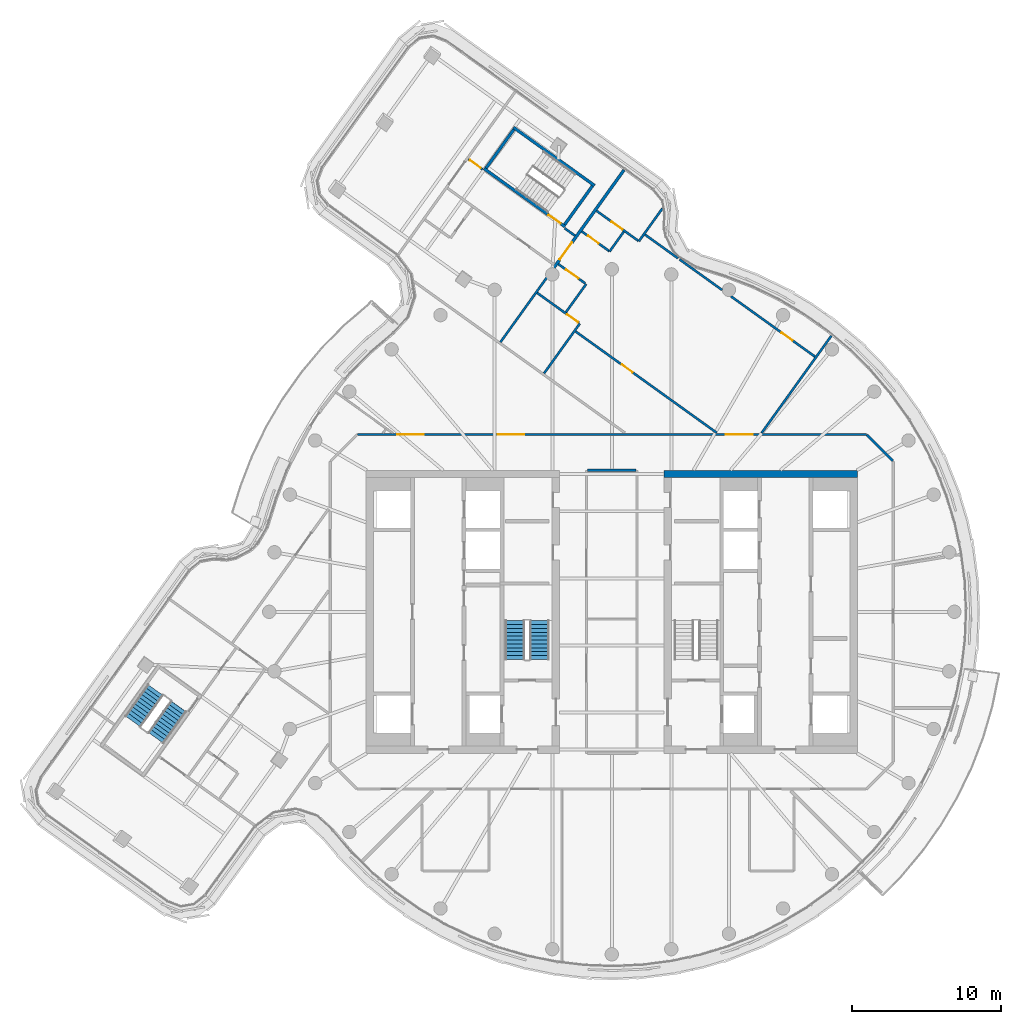
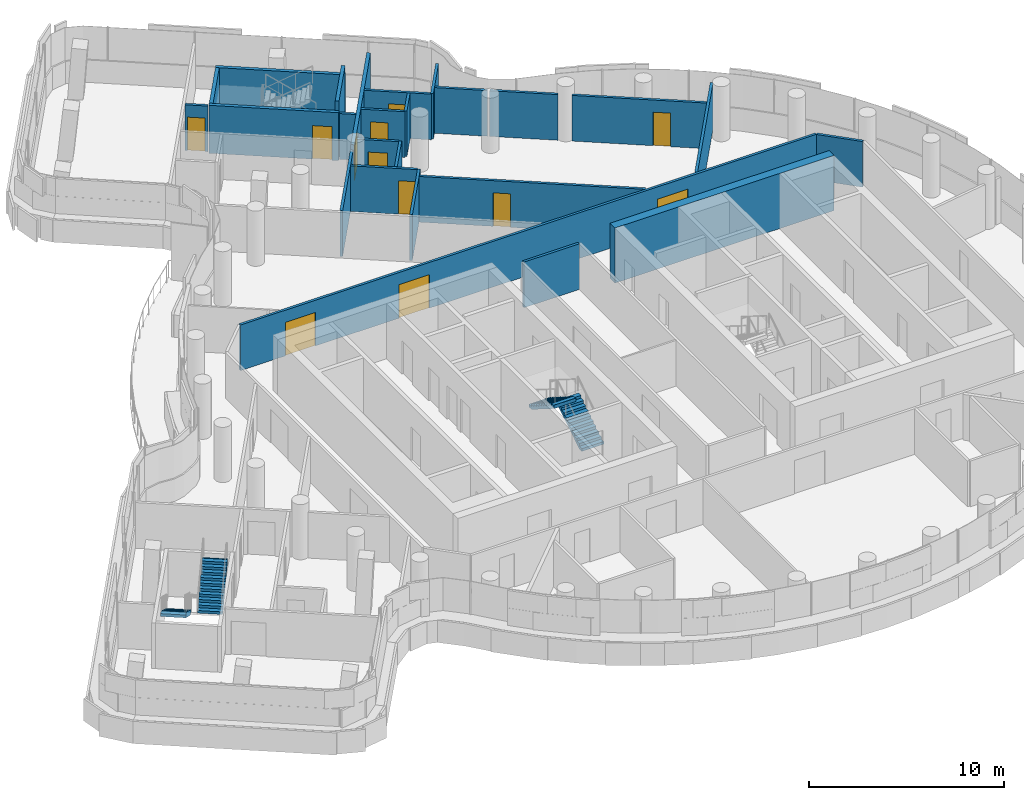
# One storey, part 20 of 27: 25 walls, 12 doors, 4 stair flights, 12 openings, 2 elements without a shape of their own.
"""IFC4 building model written with IfcOpenShell, lengths in metres."""

import ifcopenshell
import ifcopenshell.guid

model = None  # the IFC model being written
_history = None  # IfcOwnerHistory: only IFC2X3 demands one
_inside = {}  # id of a spatial element -> (the spatial element, [elements in it])
_under = {}  # id of a project, library or spatial element -> (it, [spatial elements below it])
_declared = {}  # id of a project -> (the project, [libraries it declares])
_typed = {}  # id of a type object -> (the type object, [elements of that type])
_made_of = {}  # id of a material, layer set ... -> (it, [elements and type objects made of it])


def new_model(schema):
    """Start an empty IFC model of exactly this schema.

    Asked for "IFC4X3", IfcOpenShell would pick the latest addendum, in which some entities
    have other attributes; the version numbers below select the first issue.
    IFC2X3 requires an IfcOwnerHistory on every rooted entity: one is made here for all.
    """
    global model, _history
    if schema == "IFC4X3":
        model = ifcopenshell.file(schema_version=(4, 3, 0, 0))
    else:
        model = ifcopenshell.file(schema=schema)
    _inside.clear()
    _under.clear()
    _declared.clear()
    _typed.clear()
    _made_of.clear()
    _history = None
    if model.schema == "IFC2X3":
        org = make("IfcOrganization", Name="unknown")
        user = make(
            "IfcPersonAndOrganization",
            ThePerson=make("IfcPerson", FamilyName="unknown"),
            TheOrganization=org,
        )
        app = make(
            "IfcApplication",
            ApplicationDeveloper=org,
            Version="unknown",
            ApplicationFullName="unknown",
            ApplicationIdentifier="unknown",
        )
        _history = make(
            "IfcOwnerHistory",
            OwningUser=user,
            OwningApplication=app,
            ChangeAction="ADDED",
            CreationDate=0,
        )
    return model


def make(cls, **values):
    """One entity of the class cls with the attributes given. An attribute that is None is left unset."""
    return model.create_entity(
        cls, **{name: value for name, value in values.items() if value is not None}
    )


def rooted(cls, **values):
    """An entity with a GlobalId (a new one), such as an element, a storey or a relation."""
    return make(cls, GlobalId=ifcopenshell.guid.new(), OwnerHistory=_history, **values)


def si_unit(unit_type, name, prefix=None):
    """IfcSIUnit, for example si_unit("LENGTHUNIT", "METRE", prefix="MILLI")."""
    return make("IfcSIUnit", UnitType=unit_type, Prefix=prefix, Name=name)


def assignment(units):
    """IfcUnitAssignment: the units of a project."""
    return None if units is None else make("IfcUnitAssignment", Units=units)


def point(xyz):
    """IfcCartesianPoint."""
    return None if xyz is None else make("IfcCartesianPoint", Coordinates=xyz)


def direction(xyz):
    """IfcDirection."""
    return None if xyz is None else make("IfcDirection", DirectionRatios=xyz)


def frame(location, z_axis=None, x_axis=None):
    """IfcAxis2Placement3D, a coordinate frame: its origin and axes. An axis left out is left unset."""
    return make(
        "IfcAxis2Placement3D",
        Location=point(location),
        Axis=direction(z_axis),
        RefDirection=direction(x_axis),
    )


def frame_2d(location, x_axis=None):
    """IfcAxis2Placement2D, a coordinate frame in the plane: its origin and x axis."""
    return make(
        "IfcAxis2Placement2D", Location=point(location), RefDirection=direction(x_axis)
    )


def origin():
    """The frame at (0, 0, 0) with its axes left unset."""
    return frame((0.0, 0.0, 0.0))


def place(relative_to, where):
    """IfcLocalPlacement: puts the frame where relative to a parent placement (None: the world)."""
    return make(
        "IfcLocalPlacement", PlacementRelTo=relative_to, RelativePlacement=where
    )


def context(
    kind, dimensions, precision=None, world=None, true_north=None, identifier=None
):
    """IfcGeometricRepresentationContext, for example the 3D "Model" context."""
    return make(
        "IfcGeometricRepresentationContext",
        ContextIdentifier=identifier,
        ContextType=kind,
        CoordinateSpaceDimension=dimensions,
        Precision=precision,
        WorldCoordinateSystem=world,
        TrueNorth=true_north,
    )


def subcontext(parent, identifier, kind, view, scale=None):
    """IfcGeometricRepresentationSubContext, for example "Body" below "Model"."""
    return make(
        "IfcGeometricRepresentationSubContext",
        ContextIdentifier=identifier,
        ContextType=kind,
        ParentContext=parent,
        TargetScale=scale,
        TargetView=view,
    )


def project(units=None, contexts=None):
    """IfcProject with its units and contexts."""
    return rooted(
        "IfcProject",
        Name="project",
        RepresentationContexts=contexts,
        UnitsInContext=assignment(units),
    )


def spatial(cls, under=None, at=None, **own):
    """A site, building, storey or space (cls), placed at a placement, below another one or the project."""
    s = rooted(cls, ObjectPlacement=at, **own)
    if under is not None:
        _under.setdefault(under.id(), (under, []))[1].append(s)
    return s


def polyline(points):
    """IfcPolyline through the points."""
    return make("IfcPolyline", Points=[point(p) for p in points])


def profile(cls, at=None, kind="AREA", **sizes):
    """A parametric profile (cls). Its sizes go by their IFC names, for example OverallWidth=200.0."""
    return make(cls, ProfileType=kind, Position=at, **sizes)


def rectangle(**sizes):
    """IfcRectangleProfileDef."""
    return profile("IfcRectangleProfileDef", **sizes)


def outline(outer, holes=None, kind="AREA"):
    """IfcArbitraryClosedProfileDef: a profile drawn as a closed curve; with holes, ...WithVoids."""
    if holes is None:
        return make("IfcArbitraryClosedProfileDef", ProfileType=kind, OuterCurve=outer)
    return make(
        "IfcArbitraryProfileDefWithVoids",
        ProfileType=kind,
        OuterCurve=outer,
        InnerCurves=holes,
    )


def extrude(swept, where, along, depth):
    """IfcExtrudedAreaSolid: the profile swept, set in the frame where, extruded along a direction by depth."""
    return make(
        "IfcExtrudedAreaSolid",
        SweptArea=swept,
        Position=where,
        ExtrudedDirection=direction(along),
        Depth=depth,
    )


def shape(context_of_items, identifier, shape_type, items):
    """IfcShapeRepresentation: the items that make up one representation, for example the "Body"."""
    return make(
        "IfcShapeRepresentation",
        ContextOfItems=context_of_items,
        RepresentationIdentifier=identifier,
        RepresentationType=shape_type,
        Items=items,
    )


def material(Name=None, Category=None):
    """IfcMaterial."""
    return make("IfcMaterial", Name=Name, Category=Category)


def layer(
    of_material, thickness, ventilated=None, Name=None, Category=None, Priority=None
):
    """IfcMaterialLayer: one layer of a wall or slab, of a material (None: an air gap)."""
    return make(
        "IfcMaterialLayer",
        Material=of_material,
        LayerThickness=thickness,
        IsVentilated=ventilated,
        Name=Name,
        Category=Category,
        Priority=Priority,
    )


def layer_set(layers, Name=None):
    """IfcMaterialLayerSet."""
    return make("IfcMaterialLayerSet", MaterialLayers=layers, LayerSetName=Name)


def made_of(thing, what):
    """Note that an element or type object is made of a material, layer set ...; save() writes the relation."""
    if what is not None:
        _made_of.setdefault(what.id(), (what, []))[1].append(thing)
    return thing


def type_object(cls, material=None, **own):
    """A type object (cls), such as IfcWallType, which elements share."""
    return made_of(rooted(cls, **own), material)


def element(
    cls,
    number,
    at=None,
    inside=None,
    cuts=None,
    type_object=None,
    material=None,
    context=None,
    identifier="Body",
    shape_type=None,
    held_by="IfcProductDefinitionShape",
    body=None,
    shapes=None,
    **own,
):
    """One element of the class cls, such as IfcWall. Its Tag is "e" and its number.

    at: its placement. inside: the storey or other place that contains it. cuts: it is an
    opening in that element (IfcRelVoidsElement). A single representation is given by context,
    identifier, shape_type and body (its items); several are given by shapes. held_by: the class
    of the entity that holds the representations. save() writes the other relations.
    """
    e = rooted(cls, Tag="e%d" % number, ObjectPlacement=at, **own)
    if body is not None:
        shapes = [shape(context, identifier, shape_type, body)]
    if shapes is not None:
        e.Representation = make(held_by, Representations=shapes)
    if inside is not None:
        _inside.setdefault(inside.id(), (inside, []))[1].append(e)
    if cuts is not None:
        rooted(
            "IfcRelVoidsElement", RelatingBuildingElement=cuts, RelatedOpeningElement=e
        )
    if type_object is not None:
        _typed.setdefault(type_object.id(), (type_object, []))[1].append(e)
    return made_of(e, material)


def fill(opening, filler):
    """IfcRelFillsElement: the door or window that sits in an opening."""
    return rooted(
        "IfcRelFillsElement",
        RelatingOpeningElement=opening,
        RelatedBuildingElement=filler,
    )


def aggregate(whole, parts):
    """IfcRelAggregates: a whole, such as a stair, and the parts it consists of."""
    return rooted("IfcRelAggregates", RelatingObject=whole, RelatedObjects=parts)


def save(model, path):
    """Write the relations noted so far, then the file.

    IfcRelAggregates (storeys below a building ...), IfcRelContainedInSpatialStructure (elements
    in a storey), IfcRelDefinesByType, IfcRelAssociatesMaterial and IfcRelDeclares: one each for
    every whole, place, type object, material and project.
    """
    for whole, parts in _under.values():
        aggregate(whole, parts)
    for where, things in _inside.values():
        rooted(
            "IfcRelContainedInSpatialStructure",
            RelatedElements=things,
            RelatingStructure=where,
        )
    for kind, things in _typed.values():
        rooted("IfcRelDefinesByType", RelatedObjects=things, RelatingType=kind)
    for what, things in _made_of.values():
        rooted("IfcRelAssociatesMaterial", RelatedObjects=things, RelatingMaterial=what)
    for by, libraries in _declared.values():
        rooted("IfcRelDeclares", RelatingContext=by, RelatedDefinitions=libraries)
    model.write(path)


model = new_model("IFC4")

# Units and contexts
model_context = context("Model", 3, precision=1e-05, world=origin(), true_north=direction((0.0, 1.0)))
body_context = subcontext(model_context, "Body", "Model", "MODEL_VIEW")
ifc_project = project(units=[si_unit("LENGTHUNIT", "METRE"), si_unit("AREAUNIT", "SQUARE_METRE"), si_unit("VOLUMEUNIT", "CUBIC_METRE"), si_unit("PLANEANGLEUNIT", "RADIAN"), si_unit("MASSUNIT", "GRAM", prefix="KILO")], contexts=[model_context])

# Site, building, storey
site_placement = place(None, origin())
site = spatial("IfcSite", under=ifc_project, at=site_placement, CompositionType="ELEMENT")
building_placement = place(site_placement, origin())
building = spatial("IfcBuilding", under=site, at=building_placement, Name="Tamarind Cross Interchange Tower", CompositionType="ELEMENT")
storey_placement = place(building_placement, frame((0.0, 0.0, 230.699951171875)))
storey = spatial("IfcBuildingStorey", under=building, at=storey_placement, Name="L58", CompositionType="ELEMENT", Elevation=230.699951171875)

# Walls
ifc_material_1 = material(Name="Concrete C50", Category="concrete")
ifc_layer_1 = layer(ifc_material_1, 0.5)
ifc_layer_set_1 = layer_set([ifc_layer_1], Name="Concrete C50")
wall_type_1 = type_object("IfcWallType", Name="Core wall 500 mm Concrete C50", PredefinedType="SHEAR", material=ifc_layer_set_1)
wall_1_placement = place(storey_placement, frame((16.5, 9.25, 0.0), z_axis=(0.0, 0.0, 1.0), x_axis=(-1.0, 0.0, 0.0)))
element("IfcWall", 1, at=wall_1_placement, inside=storey, type_object=wall_type_1, Name="Core wall CWL-L58-E-NE", PredefinedType="SHEAR", context=body_context, shape_type="SweptSolid", body=[
    extrude(rectangle(XDim=13.0, YDim=0.5, at=frame_2d((6.5, 0.0))), origin(), (0.0, 0.0, 1.0), 3.4599609375),
])
ifc_material_2 = material(Name="Gypsum board partition on steel studs", Category="steel")
ifc_layer_2 = layer(ifc_material_2, 0.14990234375)
ifc_layer_set_2 = layer_set([ifc_layer_2], Name="Gypsum board partition on steel studs")
wall_type_2 = type_object("IfcWallType", Name="Partition 150 mm EI 120", PredefinedType="PARTITIONING", material=ifc_layer_set_2)
wall_2_placement = place(storey_placement, frame((17.12841796875, 11.87158203125, 0.0), z_axis=(0.0, 0.0, 1.0), x_axis=(0.707106781187, -0.707106781187, 0.0)))
element("IfcWall", 2, at=wall_2_placement, inside=storey, type_object=wall_type_2, Name="Partition L58-003", PredefinedType="PARTITIONING", context=body_context, shape_type="SweptSolid", body=[
    extrude(rectangle(XDim=2.465087890625, YDim=0.14990234375, at=frame_2d((1.232421875, 0.0))), origin(), (0.0, 0.0, 1.0), 2.864013671875),
])

# Wall, opening, door
wall_3_placement = place(storey_placement, frame((-9.634033203125, 30.392333984375, 0.0), z_axis=(0.0, 0.0, 1.0), x_axis=(0.812487107196, -0.582979159697, 0.0)))
wall_3 = element("IfcWall", 3, at=wall_3_placement, inside=storey, type_object=wall_type_2, Name="Partition L58-013", PredefinedType="PARTITIONING", context=body_context, shape_type="SweptSolid", body=[
    extrude(rectangle(XDim=1.1796875, YDim=0.14990234375, at=frame_2d((0.58984375, 0.0))), origin(), (0.0, 0.0, 1.0), 2.864013671875),
])
opening_1_placement = place(wall_3_placement, frame((0.129638671875, 0.0, 0.0)))
opening_1 = element("IfcOpeningElement", 4, at=opening_1_placement, cuts=wall_3, Name="Opening D05", PredefinedType="OPENING", context=body_context, shape_type="SweptSolid", body=[
    extrude(rectangle(XDim=0.89990234375, YDim=2.10009765625, at=frame_2d((0.449951171875, 1.050048828125))), frame((0.0, 0.0849609375, 0.0), z_axis=(0.0, -1.0, 0.0), x_axis=(1.0, 0.0, 0.0)), (0.0, 0.0, 1.0), 0.169921875),
])
ifc_material_3 = material(Name="Fire-resisting door set")
door_type_1 = type_object("IfcDoorType", Name="Interior door 900 x 2100 FD60S", OperationType="SINGLE_SWING_LEFT", PredefinedType="DOOR", material=ifc_material_3)
door_1_placement = place(opening_1_placement, origin())
door_1 = element("IfcDoor", 5, at=door_1_placement, inside=storey, type_object=door_type_1, Name="Door D05", OperationType="SINGLE_SWING_RIGHT", OverallHeight=2.10009765625, OverallWidth=0.89990234375, PredefinedType="DOOR", context=body_context, shape_type="SweptSolid", body=[
    extrude(rectangle(XDim=0.89990234375, YDim=2.10009765625, at=frame_2d((0.449951171875, 1.050048828125))), frame((0.0, 0.02490234375, 0.0), z_axis=(0.0, -1.0, 0.0), x_axis=(1.0, 0.0, 0.0)), (0.0, 0.0, 1.0), 0.050048828125),
])
fill(opening_1, door_1)

# Wall
wall_4_placement = place(storey_placement, frame((-3.16748046875, 25.751220703125, 0.0), z_axis=(0.0, 0.0, 1.0), x_axis=(0.812351297047, -0.583168389221, 0.0)))
element("IfcWall", 6, at=wall_4_placement, inside=storey, type_object=wall_type_2, Name="Partition L58-014", PredefinedType="PARTITIONING", context=body_context, shape_type="SweptSolid", body=[
    extrude(rectangle(XDim=0.86083984375, YDim=0.14990234375, at=frame_2d((0.430419921875, 0.0))), origin(), (0.0, 0.0, 1.0), 2.864013671875),
])

# Wall, opening, door
wall_5_placement = place(storey_placement, frame((-5.0048828125, 21.407470703125, 0.0), z_axis=(0.0, 0.0, 1.0), x_axis=(0.812433901196, -0.583053304757, 0.0)))
wall_5 = element("IfcWall", 7, at=wall_5_placement, inside=storey, type_object=wall_type_2, Name="Partition L58-015", PredefinedType="PARTITIONING", context=body_context, shape_type="SweptSolid", body=[
    extrude(rectangle(XDim=3.4453125, YDim=0.14990234375, at=frame_2d((1.72265625, 0.0))), origin(), (0.0, 0.0, 1.0), 2.864013671875),
])
opening_2_placement = place(wall_5_placement, frame((2.469970703125, 0.0, 0.0)))
opening_2 = element("IfcOpeningElement", 8, at=opening_2_placement, cuts=wall_5, Name="Opening D06", PredefinedType="OPENING", context=body_context, shape_type="SweptSolid", body=[
    extrude(rectangle(XDim=0.89990234375, YDim=2.10009765625, at=frame_2d((0.449951171875, 1.050048828125))), frame((0.0, 0.0849609375, 0.0), z_axis=(0.0, -1.0, 0.0), x_axis=(1.0, 0.0, 0.0)), (0.0, 0.0, 1.0), 0.169921875),
])
door_2_placement = place(opening_2_placement, frame((0.89990234375, 0.0, 0.0), z_axis=(0.0, 0.0, 1.0), x_axis=(-1.0, 0.0, 0.0)))
door_2 = element("IfcDoor", 9, at=door_2_placement, inside=storey, type_object=door_type_1, Name="Door D06", OperationType="SINGLE_SWING_RIGHT", OverallHeight=2.10009765625, OverallWidth=0.89990234375, PredefinedType="DOOR", context=body_context, shape_type="SweptSolid", body=[
    extrude(rectangle(XDim=0.89990234375, YDim=2.10009765625, at=frame_2d((0.449951171875, 1.050048828125))), frame((0.0, 0.02490234375, 0.0), z_axis=(0.0, -1.0, 0.0), x_axis=(1.0, 0.0, 0.0)), (0.0, 0.0, 1.0), 0.050048828125),
])
fill(opening_2, door_2)

wall_6_placement = place(storey_placement, frame((-3.588623046875, 23.3447265625, 0.0), z_axis=(0.0, 0.0, 1.0), x_axis=(0.812463673424, -0.583011817518, 0.0)))
wall_6 = element("IfcWall", 10, at=wall_6_placement, inside=storey, type_object=wall_type_2, Name="Partition L58-016", PredefinedType="PARTITIONING", context=body_context, shape_type="SweptSolid", body=[
    extrude(rectangle(XDim=2.224853515625, YDim=0.14990234375, at=frame_2d((1.1123046875, 0.0))), origin(), (0.0, 0.0, 1.0), 2.864013671875),
])
opening_3_placement = place(wall_6_placement, frame((0.64990234375, 0.0, 0.0)))
opening_3 = element("IfcOpeningElement", 11, at=opening_3_placement, cuts=wall_6, Name="Opening D07", PredefinedType="OPENING", context=body_context, shape_type="SweptSolid", body=[
    extrude(rectangle(XDim=1.0, YDim=2.10009765625, at=frame_2d((0.5, 1.050048828125))), frame((0.0, 0.0849609375, 0.0), z_axis=(0.0, -1.0, 0.0), x_axis=(1.0, 0.0, 0.0)), (0.0, 0.0, 1.0), 0.169921875),
])
door_type_2 = type_object("IfcDoorType", Name="Interior door 1000 x 2100 FD60S", OperationType="SINGLE_SWING_LEFT", PredefinedType="DOOR", material=ifc_material_3)
door_3_placement = place(opening_3_placement, frame((1.0, 0.0, 0.0), z_axis=(0.0, 0.0, 1.0), x_axis=(-1.0, 0.0, 0.0)))
door_3 = element("IfcDoor", 12, at=door_3_placement, inside=storey, type_object=door_type_2, Name="Door D07", OperationType="SINGLE_SWING_RIGHT", OverallHeight=2.10009765625, OverallWidth=1.0, PredefinedType="DOOR", context=body_context, shape_type="SweptSolid", body=[
    extrude(rectangle(XDim=1.0, YDim=2.10009765625, at=frame_2d((0.5, 1.050048828125))), frame((0.0, 0.02490234375, 0.0), z_axis=(0.0, -1.0, 0.0), x_axis=(1.0, 0.0, 0.0)), (0.0, 0.0, 1.0), 0.050048828125),
])
fill(opening_3, door_3)

wall_7_placement = place(storey_placement, frame((-2.429931640625, 18.8203125, 0.0), z_axis=(0.0, 0.0, 1.0), x_axis=(0.812379650035, -0.583128891592, 0.0)))
wall_7 = element("IfcWall", 13, at=wall_7_placement, inside=storey, type_object=wall_type_2, Name="Partition L58-017", PredefinedType="PARTITIONING", context=body_context, shape_type="SweptSolid", body=[
    extrude(rectangle(XDim=11.66748046875, YDim=0.14990234375, at=frame_2d((5.833740234375, 0.0))), origin(), (0.0, 0.0, 1.0), 2.864013671875),
])
opening_4_placement = place(wall_7_placement, frame((3.820068359375, 0.0, 0.0)))
opening_4 = element("IfcOpeningElement", 14, at=opening_4_placement, cuts=wall_7, Name="Opening D08", PredefinedType="OPENING", context=body_context, shape_type="SweptSolid", body=[
    extrude(rectangle(XDim=0.89990234375, YDim=2.10009765625, at=frame_2d((0.449951171875, 1.050048828125))), frame((0.0, 0.0849609375, 0.0), z_axis=(0.0, -1.0, 0.0), x_axis=(1.0, 0.0, 0.0)), (0.0, 0.0, 1.0), 0.169921875),
])
door_4_placement = place(opening_4_placement, frame((0.89990234375, 0.0, 0.0), z_axis=(0.0, 0.0, 1.0), x_axis=(-1.0, 0.0, 0.0)))
door_4 = element("IfcDoor", 15, at=door_4_placement, inside=storey, type_object=door_type_1, Name="Door D08", OperationType="SINGLE_SWING_LEFT", OverallHeight=2.10009765625, OverallWidth=0.89990234375, PredefinedType="DOOR", context=body_context, shape_type="SweptSolid", body=[
    extrude(rectangle(XDim=0.89990234375, YDim=2.10009765625, at=frame_2d((0.449951171875, 1.050048828125))), frame((0.0, 0.02490234375, 0.0), z_axis=(0.0, -1.0, 0.0), x_axis=(1.0, 0.0, 0.0)), (0.0, 0.0, 1.0), 0.050048828125),
])
fill(opening_4, door_4)

wall_8_placement = place(storey_placement, frame((-2.014892578125, 25.538818359375, 0.0), z_axis=(0.0, 0.0, 1.0), x_axis=(0.812349738906, -0.583170559699, 0.0)))
wall_8 = element("IfcWall", 16, at=wall_8_placement, inside=storey, type_object=wall_type_2, Name="Partition L58-018", PredefinedType="PARTITIONING", context=body_context, shape_type="SweptSolid", body=[
    extrude(rectangle(XDim=2.28076171875, YDim=0.14990234375, at=frame_2d((1.140380859375, 0.0))), origin(), (0.0, 0.0, 1.0), 2.864013671875),
])
opening_5_placement = place(wall_8_placement, frame((0.5, 0.0, 0.0)))
opening_5 = element("IfcOpeningElement", 17, at=opening_5_placement, cuts=wall_8, Name="Opening D09", PredefinedType="OPENING", context=body_context, shape_type="SweptSolid", body=[
    extrude(rectangle(XDim=0.89990234375, YDim=2.10009765625, at=frame_2d((0.449951171875, 1.050048828125))), frame((0.0, 0.0849609375, 0.0), z_axis=(0.0, -1.0, 0.0), x_axis=(1.0, 0.0, 0.0)), (0.0, 0.0, 1.0), 0.169921875),
])
door_5_placement = place(opening_5_placement, origin())
door_5 = element("IfcDoor", 18, at=door_5_placement, inside=storey, type_object=door_type_1, Name="Door D09", OperationType="SINGLE_SWING_RIGHT", OverallHeight=2.10009765625, OverallWidth=0.89990234375, PredefinedType="DOOR", context=body_context, shape_type="SweptSolid", body=[
    extrude(rectangle(XDim=0.89990234375, YDim=2.10009765625, at=frame_2d((0.449951171875, 1.050048828125))), frame((0.0, 0.02490234375, 0.0), z_axis=(0.0, -1.0, 0.0), x_axis=(1.0, 0.0, 0.0)), (0.0, 0.0, 1.0), 0.050048828125),
])
fill(opening_5, door_5)

wall_9_placement = place(storey_placement, frame((-1.022705078125, 26.919677734375, 0.0), z_axis=(0.0, 0.0, 1.0), x_axis=(0.812175386304, -0.583413354219, 0.0)))
wall_9 = element("IfcWall", 19, at=wall_9_placement, inside=storey, type_object=wall_type_2, Name="Partition L58-019", PredefinedType="PARTITIONING", context=body_context, shape_type="SweptSolid", body=[
    extrude(rectangle(XDim=3.479248046875, YDim=0.14990234375, at=frame_2d((1.73974609375, 0.0))), origin(), (0.0, 0.0, 1.0), 2.864013671875),
])
opening_6_placement = place(wall_9_placement, frame((1.25, 0.0, 0.0)))
opening_6 = element("IfcOpeningElement", 20, at=opening_6_placement, cuts=wall_9, Name="Opening D10", PredefinedType="OPENING", context=body_context, shape_type="SweptSolid", body=[
    extrude(rectangle(XDim=0.89990234375, YDim=2.10009765625, at=frame_2d((0.449951171875, 1.050048828125))), frame((0.0, 0.0849609375, 0.0), z_axis=(0.0, -1.0, 0.0), x_axis=(1.0, 0.0, 0.0)), (0.0, 0.0, 1.0), 0.169921875),
])
door_6_placement = place(opening_6_placement, origin())
door_6 = element("IfcDoor", 21, at=door_6_placement, inside=storey, type_object=door_type_1, Name="Door D10", OperationType="SINGLE_SWING_RIGHT", OverallHeight=2.10009765625, OverallWidth=0.89990234375, PredefinedType="DOOR", context=body_context, shape_type="SweptSolid", body=[
    extrude(rectangle(XDim=0.89990234375, YDim=2.10009765625, at=frame_2d((0.449951171875, 1.050048828125))), frame((0.0, 0.02490234375, 0.0), z_axis=(0.0, -1.0, 0.0), x_axis=(1.0, 0.0, 0.0)), (0.0, 0.0, 1.0), 0.050048828125),
])
fill(opening_6, door_6)

# Walls
wall_10_placement = place(storey_placement, frame((2.235107421875, 25.3193359375, 0.0), z_axis=(0.0, 0.0, 1.0), x_axis=(0.812367323753, -0.583146063434, 0.0)))
element("IfcWall", 22, at=wall_10_placement, inside=storey, type_object=wall_type_2, Name="Partition L58-020", PredefinedType="PARTITIONING", context=body_context, shape_type="SweptSolid", body=[
    extrude(rectangle(XDim=2.72119140625, YDim=0.14990234375, at=frame_2d((1.360595703125, 0.0))), origin(), (0.0, 0.0, 1.0), 2.864013671875),
])
wall_11_placement = place(storey_placement, frame((4.54736328125, 23.65966796875, 0.0), z_axis=(0.0, 0.0, 1.0), x_axis=(0.812386891105, -0.583118803642, 0.0)))
element("IfcWall", 23, at=wall_11_placement, inside=storey, type_object=wall_type_2, Name="Partition L58-021", PredefinedType="PARTITIONING", context=body_context, shape_type="SweptSolid", body=[
    extrude(rectangle(XDim=3.521484375, YDim=0.14990234375, at=frame_2d((1.7607421875, 0.0))), origin(), (0.0, 0.0, 1.0), 2.864013671875),
])

# Wall, opening, door
wall_12_placement = place(storey_placement, frame((7.99267578125, 21.186767578125, 0.0), z_axis=(0.0, 0.0, 1.0), x_axis=(0.81239794632, -0.583103401478, 0.0)))
wall_12 = element("IfcWall", 24, at=wall_12_placement, inside=storey, type_object=wall_type_2, Name="Partition L58-022", PredefinedType="PARTITIONING", context=body_context, shape_type="SweptSolid", body=[
    extrude(rectangle(XDim=6.952880859375, YDim=0.14990234375, at=frame_2d((3.4765625, 0.0))), origin(), (0.0, 0.0, 1.0), 2.864013671875),
])
opening_7_placement = place(wall_12_placement, frame((4.199951171875, 0.0, 0.0)))
opening_7 = element("IfcOpeningElement", 25, at=opening_7_placement, cuts=wall_12, Name="Opening D11", PredefinedType="OPENING", context=body_context, shape_type="SweptSolid", body=[
    extrude(rectangle(XDim=0.89990234375, YDim=2.10009765625, at=frame_2d((0.449951171875, 1.050048828125))), frame((0.0, 0.0849609375, 0.0), z_axis=(0.0, -1.0, 0.0), x_axis=(1.0, 0.0, 0.0)), (0.0, 0.0, 1.0), 0.169921875),
])
door_7_placement = place(opening_7_placement, origin())
door_7 = element("IfcDoor", 26, at=door_7_placement, inside=storey, type_object=door_type_1, Name="Door D11", OperationType="SINGLE_SWING_LEFT", OverallHeight=2.10009765625, OverallWidth=0.89990234375, PredefinedType="DOOR", context=body_context, shape_type="SweptSolid", body=[
    extrude(rectangle(XDim=0.89990234375, YDim=2.10009765625, at=frame_2d((0.449951171875, 1.050048828125))), frame((0.0, 0.02490234375, 0.0), z_axis=(0.0, -1.0, 0.0), x_axis=(1.0, 0.0, 0.0)), (0.0, 0.0, 1.0), 0.050048828125),
])
fill(opening_7, door_7)

# Wall, openings, doors
wall_13_placement = place(storey_placement, frame((-17.06494140625, 11.89990234375, 0.0), z_axis=(0.0, 0.0, 1.0), x_axis=(1.0, 0.0, 0.0)))
wall_13 = element("IfcWall", 27, at=wall_13_placement, inside=storey, type_object=wall_type_2, Name="Partition L58-024", PredefinedType="PARTITIONING", context=body_context, shape_type="SweptSolid", body=[
    extrude(rectangle(XDim=34.1650390625, YDim=0.14990234375, at=frame_2d((17.08251953125, 0.0))), origin(), (0.0, 0.0, 1.0), 2.864013671875),
])
opening_8_placement = place(wall_13_placement, frame((24.72607421875, 0.0, 0.0)))
opening_8 = element("IfcOpeningElement", 28, at=opening_8_placement, cuts=wall_13, Name="Opening D18", PredefinedType="OPENING", context=body_context, shape_type="SweptSolid", body=[
    extrude(rectangle(XDim=1.800048828125, YDim=2.10009765625, at=frame_2d((0.89990234375, 1.050048828125))), frame((0.0, 0.0849609375, 0.0), z_axis=(0.0, -1.0, 0.0), x_axis=(1.0, 0.0, 0.0)), (0.0, 0.0, 1.0), 0.169921875),
])
opening_9_placement = place(wall_13_placement, frame((9.39501953125, 0.0, 0.0)))
opening_9 = element("IfcOpeningElement", 29, at=opening_9_placement, cuts=wall_13, Name="Opening D19", PredefinedType="OPENING", context=body_context, shape_type="SweptSolid", body=[
    extrude(rectangle(XDim=1.800048828125, YDim=2.10009765625, at=frame_2d((0.89990234375, 1.050048828125))), frame((0.0, 0.0849609375, 0.0), z_axis=(0.0, -1.0, 0.0), x_axis=(1.0, 0.0, 0.0)), (0.0, 0.0, 1.0), 0.169921875),
])
opening_10_placement = place(wall_13_placement, frame((2.64501953125, 0.0, 0.0)))
opening_10 = element("IfcOpeningElement", 30, at=opening_10_placement, cuts=wall_13, Name="Opening D20", PredefinedType="OPENING", context=body_context, shape_type="SweptSolid", body=[
    extrude(rectangle(XDim=1.800048828125, YDim=2.10009765625, at=frame_2d((0.89990234375, 1.050048828125))), frame((0.0, 0.0849609375, 0.0), z_axis=(0.0, -1.0, 0.0), x_axis=(1.0, 0.0, 0.0)), (0.0, 0.0, 1.0), 0.169921875),
])
door_type_3 = type_object("IfcDoorType", Name="Interior door 1800 x 2100 FD60S", OperationType="DOUBLE_DOOR_SINGLE_SWING", PredefinedType="DOOR", material=ifc_material_3)
door_8_placement = place(opening_8_placement, frame((1.800048828125, 0.0, 0.0), z_axis=(0.0, 0.0, 1.0), x_axis=(-1.0, 0.0, 0.0)))
door_8 = element("IfcDoor", 31, at=door_8_placement, inside=storey, type_object=door_type_3, Name="Door D18", OperationType="DOUBLE_DOOR_SINGLE_SWING", OverallHeight=2.10009765625, OverallWidth=1.800048828125, PredefinedType="DOOR", context=body_context, shape_type="SweptSolid", body=[
    extrude(rectangle(XDim=1.800048828125, YDim=2.10009765625, at=frame_2d((0.89990234375, 1.050048828125))), frame((0.0, 0.02490234375, 0.0), z_axis=(0.0, -1.0, 0.0), x_axis=(1.0, 0.0, 0.0)), (0.0, 0.0, 1.0), 0.050048828125),
])
fill(opening_8, door_8)
door_9_placement = place(opening_9_placement, origin())
door_9 = element("IfcDoor", 32, at=door_9_placement, inside=storey, type_object=door_type_3, Name="Door D19", OperationType="DOUBLE_DOOR_SINGLE_SWING", OverallHeight=2.10009765625, OverallWidth=1.800048828125, PredefinedType="DOOR", context=body_context, shape_type="SweptSolid", body=[
    extrude(rectangle(XDim=1.800048828125, YDim=2.10009765625, at=frame_2d((0.89990234375, 1.050048828125))), frame((0.0, 0.02490234375, 0.0), z_axis=(0.0, -1.0, 0.0), x_axis=(1.0, 0.0, 0.0)), (0.0, 0.0, 1.0), 0.050048828125),
])
fill(opening_9, door_9)
door_10_placement = place(opening_10_placement, origin())
door_10 = element("IfcDoor", 33, at=door_10_placement, inside=storey, type_object=door_type_3, Name="Door D20", OperationType="DOUBLE_DOOR_SINGLE_SWING", OverallHeight=2.10009765625, OverallWidth=1.800048828125, PredefinedType="DOOR", context=body_context, shape_type="SweptSolid", body=[
    extrude(rectangle(XDim=1.800048828125, YDim=2.10009765625, at=frame_2d((0.89990234375, 1.050048828125))), frame((0.0, 0.02490234375, 0.0), z_axis=(0.0, -1.0, 0.0), x_axis=(1.0, 0.0, 0.0)), (0.0, 0.0, 1.0), 0.050048828125),
])
fill(opening_10, door_10)

# Walls
wall_14_placement = place(storey_placement, frame((-1.639892578125, 9.5, 0.0), z_axis=(0.0, 0.0, 1.0), x_axis=(1.0, 0.0, 0.0)))
element("IfcWall", 34, at=wall_14_placement, inside=storey, type_object=wall_type_2, Name="Partition L58-029", PredefinedType="PARTITIONING", context=body_context, shape_type="SweptSolid", body=[
    extrude(rectangle(XDim=3.27978515625, YDim=0.14990234375, at=frame_2d((1.639892578125, 0.0))), origin(), (0.0, 0.0, 1.0), 2.864013671875),
])
wall_15_placement = place(storey_placement, frame((-7.472412109375, 18.10693359375, 0.0), z_axis=(0.0, 0.0, 1.0), x_axis=(0.583113446938, 0.812390736038, 0.0)))
element("IfcWall", 35, at=wall_15_placement, inside=storey, type_object=wall_type_2, Name="Partition L58-045", PredefinedType="PARTITIONING", context=body_context, shape_type="SweptSolid", body=[
    extrude(rectangle(XDim=5.488037109375, YDim=0.14990234375, at=frame_2d((2.744140625, 0.0))), origin(), (0.0, 0.0, 1.0), 2.864013671875),
])
wall_16_placement = place(storey_placement, frame((-4.54736328125, 16.007080078125, 0.0), z_axis=(0.0, 0.0, 1.0), x_axis=(0.583002261938, 0.812470530281, 0.0)))
element("IfcWall", 36, at=wall_16_placement, inside=storey, type_object=wall_type_2, Name="Partition L58-047", PredefinedType="PARTITIONING", context=body_context, shape_type="SweptSolid", body=[
    extrude(rectangle(XDim=4.12060546875, YDim=0.14990234375, at=frame_2d((2.060302734375, 0.0))), origin(), (0.0, 0.0, 1.0), 2.864013671875),
])
wall_17_placement = place(storey_placement, frame((1.819580078125, 24.87939453125, 0.0), z_axis=(0.0, 0.0, 1.0), x_axis=(0.583041539886, 0.812442344273, 0.0)))
element("IfcWall", 37, at=wall_17_placement, inside=storey, type_object=wall_type_2, Name="Partition L58-048", PredefinedType="PARTITIONING", context=body_context, shape_type="SweptSolid", body=[
    extrude(rectangle(XDim=2.699951171875, YDim=0.14990234375, at=frame_2d((1.35009765625, 0.0))), origin(), (0.0, 0.0, 1.0), 2.864013671875),
])
wall_18_placement = place(storey_placement, frame((-3.0732421875, 20.1201171875, 0.0), z_axis=(0.0, 0.0, 1.0), x_axis=(0.58343649738, 0.812158761281, 0.0)))
element("IfcWall", 38, at=wall_18_placement, inside=storey, type_object=wall_type_2, Name="Partition L58-049", PredefinedType="PARTITIONING", context=body_context, shape_type="SweptSolid", body=[
    extrude(rectangle(XDim=2.319580078125, YDim=0.14990234375, at=frame_2d((1.15966796875, 0.0))), origin(), (0.0, 0.0, 1.0), 2.864013671875),
])
wall_19_placement = place(storey_placement, frame((-0.145263671875, 24.1962890625, 0.0), z_axis=(0.0, 0.0, 1.0), x_axis=(0.583403115634, 0.812182740933, 0.0)))
element("IfcWall", 39, at=wall_19_placement, inside=storey, type_object=wall_type_2, Name="Partition L58-050", PredefinedType="PARTITIONING", context=body_context, shape_type="SweptSolid", body=[
    extrude(rectangle(XDim=1.619873046875, YDim=0.14990234375, at=frame_2d((0.81005859375, 0.0))), origin(), (0.0, 0.0, 1.0), 2.864013671875),
])
wall_20_placement = place(storey_placement, frame((10.056884765625, 12.001708984375, 0.0), z_axis=(0.0, 0.0, 1.0), x_axis=(0.583075235696, 0.812418161736, 0.0)))
element("IfcWall", 40, at=wall_20_placement, inside=storey, type_object=wall_type_2, Name="Partition L58-051", PredefinedType="PARTITIONING", context=body_context, shape_type="SweptSolid", body=[
    extrude(rectangle(XDim=8.039306640625, YDim=0.14990234375, at=frame_2d((4.01953125, 0.0))), origin(), (0.0, 0.0, 1.0), 2.864013671875),
])

# Wall, opening, door
ifc_layer_3 = layer(ifc_material_2, 0.199951171875)
ifc_layer_set_3 = layer_set([ifc_layer_3], Name="Gypsum board partition on steel studs")
wall_type_3 = type_object("IfcWallType", Name="Partition 200 mm EI 180", PredefinedType="PARTITIONING", material=ifc_layer_set_3)
wall_21_placement = place(storey_placement, frame((-4.010009765625, 22.930908203125, 0.0), z_axis=(0.0, 0.0, 1.0), x_axis=(0.58311350021, 0.8123906978, 0.0)))
wall_21 = element("IfcWall", 41, at=wall_21_placement, inside=storey, type_object=wall_type_3, Name="Partition L58-046", PredefinedType="PARTITIONING", context=body_context, shape_type="SweptSolid", body=[
    extrude(rectangle(XDim=8.28125, YDim=0.199951171875, at=frame_2d((4.140625, 0.0))), origin(), (0.0, 0.0, 1.0), 2.864013671875),
])
opening_11_placement = place(wall_21_placement, frame((0.881591796875, 0.0, 0.0)))
opening_11 = element("IfcOpeningElement", 42, at=opening_11_placement, cuts=wall_21, Name="Opening D26", PredefinedType="OPENING", context=body_context, shape_type="SweptSolid", body=[
    extrude(rectangle(XDim=1.39990234375, YDim=2.10009765625, at=frame_2d((0.699951171875, 1.050048828125))), frame((0.0, 0.10986328125, 0.0), z_axis=(0.0, -1.0, 0.0), x_axis=(1.0, 0.0, 0.0)), (0.0, 0.0, 1.0), 0.219970703125),
])
door_type_4 = type_object("IfcDoorType", Name="Interior door 1400 x 2100 FD120S", OperationType="DOUBLE_DOOR_SINGLE_SWING", PredefinedType="DOOR", material=ifc_material_3)
door_11_placement = place(opening_11_placement, frame((1.39990234375, 0.0, 0.0), z_axis=(0.0, 0.0, 1.0), x_axis=(-1.0, 0.0, 0.0)))
door_11 = element("IfcDoor", 43, at=door_11_placement, inside=storey, type_object=door_type_4, Name="Door D26", OperationType="DOUBLE_DOOR_SINGLE_SWING", OverallHeight=2.10009765625, OverallWidth=1.39990234375, PredefinedType="DOOR", context=body_context, shape_type="SweptSolid", body=[
    extrude(rectangle(XDim=1.39990234375, YDim=2.10009765625, at=frame_2d((0.699951171875, 1.050048828125))), frame((0.0, 0.02490234375, 0.0), z_axis=(0.0, -1.0, 0.0), x_axis=(1.0, 0.0, 0.0)), (0.0, 0.0, 1.0), 0.050048828125),
])
fill(opening_11, door_11)

ifc_material_4 = material(Name="Concrete C40", Category="concrete")
ifc_layer_4 = layer(ifc_material_4, 0.199951171875)
ifc_layer_set_4 = layer_set([ifc_layer_4], Name="Concrete C40")
wall_type_4 = type_object("IfcWallType", Name="Stair shaft wall 200 mm Concrete C40", PredefinedType="SHEAR", material=ifc_layer_set_4)
wall_22_placement = place(storey_placement, frame((-3.141357421875, 25.85498046875, -0.139892578125), z_axis=(0.0, 0.0, 1.0), x_axis=(-0.812387025154, 0.583118616889, 0.0)))
wall_22 = element("IfcWall", 44, at=wall_22_placement, inside=storey, type_object=wall_type_4, Name="Core wall CWL-L58-ST4-H", PredefinedType="SHEAR", context=body_context, shape_type="SweptSolid", body=[
    extrude(rectangle(XDim=6.7001953125, YDim=0.199951171875, at=frame_2d((3.35009765625, 0.0))), origin(), (0.0, 0.0, 1.0), 3.00390625),
])
opening_12_placement = place(wall_22_placement, frame((0.35009765625, 0.0, 0.0)))
opening_12 = element("IfcOpeningElement", 45, at=opening_12_placement, cuts=wall_22, Name="Opening ST4L58", PredefinedType="OPENING", context=body_context, shape_type="SweptSolid", body=[
    extrude(rectangle(XDim=1.0, YDim=2.10009765625, at=frame_2d((0.5, 1.050048828125))), frame((0.0, 0.10986328125, 0.0), z_axis=(0.0, -1.0, 0.0), x_axis=(1.0, 0.0, 0.0)), (0.0, 0.0, 1.0), 0.219970703125),
])
ifc_material_5 = material(Name="Steel, fire-resisting", Category="steel")
door_type_5 = type_object("IfcDoorType", Name="Core fire door 1000 x 2100 FD90", OperationType="SINGLE_SWING_LEFT", PredefinedType="DOOR", material=ifc_material_5)
door_12_placement = place(opening_12_placement, origin())
door_12 = element("IfcDoor", 46, at=door_12_placement, inside=storey, type_object=door_type_5, Name="L58 stair door ST4", OperationType="SINGLE_SWING_LEFT", OverallHeight=2.10009765625, OverallWidth=1.0, PredefinedType="DOOR", context=body_context, shape_type="SweptSolid", body=[
    extrude(rectangle(XDim=1.0, YDim=2.10009765625, at=frame_2d((0.5, 1.050048828125))), frame((0.0, 0.02490234375, 0.0), z_axis=(0.0, -1.0, 0.0), x_axis=(1.0, 0.0, 0.0)), (0.0, 0.0, 1.0), 0.050048828125),
])
fill(opening_12, door_12)

# Walls
wall_23_placement = place(storey_placement, frame((-1.15869140625, 28.6171875, -0.139892578125), z_axis=(0.0, 0.0, 1.0), x_axis=(-0.812387025154, 0.583118616889, 0.0)))
element("IfcWall", 47, at=wall_23_placement, inside=storey, type_object=wall_type_4, Name="Core wall CWL-L58-ST4-C", PredefinedType="SHEAR", context=body_context, shape_type="SweptSolid", body=[
    extrude(rectangle(XDim=6.7001953125, YDim=0.199951171875, at=frame_2d((3.35009765625, 0.0))), origin(), (0.0, 0.0, 1.0), 3.00390625),
])
wall_24_placement = place(storey_placement, frame((-1.29833984375, 28.59423828125, -0.139892578125), z_axis=(0.0, 0.0, 1.0), x_axis=(-0.583120290408, -0.812385823925, 0.0)))
element("IfcWall", 48, at=wall_24_placement, inside=storey, type_object=wall_type_4, Name="Core wall CWL-L58-ST4-CE", PredefinedType="SHEAR", context=body_context, shape_type="SweptSolid", body=[
    extrude(rectangle(XDim=3.199951171875, YDim=0.199951171875, at=frame_2d((1.60009765625, 0.0))), origin(), (0.0, 0.0, 1.0), 3.599853515625),
])
wall_25_placement = place(storey_placement, frame((0.0, 0.0, -0.139892578125)))
element("IfcWall", 49, at=wall_25_placement, inside=storey, type_object=wall_type_4, Name="Core wall CWL-L58-ST4-CF", PredefinedType="SHEAR", context=body_context, shape_type="SweptSolid", body=[
    extrude(outline(polyline([(-6.49755859375, 32.326171875), (-6.66015625, 32.44287109375), (-8.526123046875, 29.84326171875), (-8.363525390625, 29.7265625), (-6.49755859375, 32.326171875)])), origin(), (0.0, 0.0, 1.0), 3.00390625),
])

# Stair, stair flights
ifc_material_6 = material(Name="Exit stair")
stair_type = type_object("IfcStairType", Name="Exit stair", PredefinedType="HALF_TURN_STAIR", material=ifc_material_6)
stair_1_placement = place(storey_placement, origin())
stair_1 = element("IfcStair", 50, at=stair_1_placement, inside=storey, type_object=stair_type, Name="L58 exit stair ST1", PredefinedType="HALF_TURN_STAIR")
ifc_material_7 = material(Name="Exit stair flight")
stair_flight_type = type_object("IfcStairFlightType", Name="Exit stair flight", PredefinedType="STRAIGHT", material=ifc_material_7)
stair_flight_1_placement = place(storey_placement, frame((-4.85009765625, -3.199951171875, 0.0), z_axis=(0.0, 0.0, 1.0), x_axis=(0.0, 1.0, 0.0)))
stair_flight_1 = element("IfcStairFlight", 51, at=stair_flight_1_placement, type_object=stair_flight_type, Name="ST1 flight 1", NumberOfRisers=11, NumberOfTreads=10, PredefinedType="STRAIGHT", RiserHeight=0.163636364, TreadLength=0.26, context=body_context, shape_type="SweptSolid", body=[
    extrude(outline(polyline([(0.0, 0.0), (0.0, 0.16357421875), (0.260009765625, 0.16357421875), (0.260009765625, 0.327392578125), (0.52001953125, 0.327392578125), (0.52001953125, 0.490966796875), (0.780029296875, 0.490966796875), (0.780029296875, 0.654541015625), (1.0400390625, 0.654541015625), (1.0400390625, 0.818115234375), (1.300048828125, 0.818115234375), (1.300048828125, 0.98193359375), (1.56005859375, 0.98193359375), (1.56005859375, 1.1455078125), (1.820068359375, 1.1455078125), (1.820068359375, 1.30908203125), (2.080078125, 1.30908203125), (2.080078125, 1.47265625), (2.340087890625, 1.47265625), (2.340087890625, 1.636474609375), (2.60009765625, 1.636474609375), (2.60009765625, 1.800048828125), (2.60009765625, 1.459228515625), (0.281494140625, 0.0), (0.0, 0.0)])), frame((0.0, 0.64990234375, 0.0), z_axis=(0.0, -1.0, 0.0), x_axis=(1.0, 0.0, 0.0)), (0.0, 0.0, 1.0), 1.300048828125),
])
stair_flight_2_placement = place(storey_placement, frame((-6.5, -0.60009765625, 1.800048828125), z_axis=(0.0, 0.0, 1.0), x_axis=(0.0, -1.0, 0.0)))
stair_flight_2 = element("IfcStairFlight", 52, at=stair_flight_2_placement, type_object=stair_flight_type, Name="ST1 flight 2", NumberOfRisers=11, NumberOfTreads=10, PredefinedType="STRAIGHT", RiserHeight=0.163636364, TreadLength=0.26, context=body_context, shape_type="SweptSolid", body=[
    extrude(outline(polyline([(0.0, 0.0), (0.0, 0.16357421875), (0.260009765625, 0.16357421875), (0.260009765625, 0.327392578125), (0.52001953125, 0.327392578125), (0.52001953125, 0.490966796875), (0.780029296875, 0.490966796875), (0.780029296875, 0.654541015625), (1.0400390625, 0.654541015625), (1.0400390625, 0.818115234375), (1.300048828125, 0.818115234375), (1.300048828125, 0.98193359375), (1.56005859375, 0.98193359375), (1.56005859375, 1.1455078125), (1.820068359375, 1.1455078125), (1.820068359375, 1.30908203125), (2.080078125, 1.30908203125), (2.080078125, 1.47265625), (2.340087890625, 1.47265625), (2.340087890625, 1.636474609375), (2.60009765625, 1.636474609375), (2.60009765625, 1.679931640625), (2.612060546875, 1.679931640625), (2.612060546875, 1.466796875), (0.281494140625, 0.0), (0.0, 0.0)])), frame((0.0, 0.64990234375, 0.0), z_axis=(0.0, -1.0, 0.0), x_axis=(1.0, 0.0, 0.0)), (0.0, 0.0, 1.0), 1.300048828125),
])
aggregate(stair_1, [stair_flight_1, stair_flight_2])

stair_2_placement = place(storey_placement, origin())
stair_2 = element("IfcStair", 53, at=stair_2_placement, inside=storey, type_object=stair_type, Name="L58 exit stair ST5", PredefinedType="HALF_TURN_STAIR")
stair_flight_3_placement = place(storey_placement, frame((-30.6318359375, -5.251953125, 0.0), z_axis=(0.0, 0.0, 1.0), x_axis=(-0.583121596975, -0.812384886086, 0.0)))
stair_flight_3 = element("IfcStairFlight", 54, at=stair_flight_3_placement, type_object=stair_flight_type, Name="ST5 flight 1", NumberOfRisers=11, NumberOfTreads=10, PredefinedType="STRAIGHT", RiserHeight=0.163636364, TreadLength=0.26, context=body_context, shape_type="SweptSolid", body=[
    extrude(outline(polyline([(0.0, 0.0), (0.0, 0.16357421875), (0.260009765625, 0.16357421875), (0.260009765625, 0.327392578125), (0.52001953125, 0.327392578125), (0.52001953125, 0.490966796875), (0.780029296875, 0.490966796875), (0.780029296875, 0.654541015625), (1.0400390625, 0.654541015625), (1.0400390625, 0.818115234375), (1.300048828125, 0.818115234375), (1.300048828125, 0.98193359375), (1.56005859375, 0.98193359375), (1.56005859375, 1.1455078125), (1.820068359375, 1.1455078125), (1.820068359375, 1.30908203125), (2.080078125, 1.30908203125), (2.080078125, 1.47265625), (2.340087890625, 1.47265625), (2.340087890625, 1.636474609375), (2.60009765625, 1.636474609375), (2.60009765625, 1.800048828125), (2.60009765625, 1.459228515625), (0.281494140625, 0.0), (0.0, 0.0)])), frame((0.0, 0.64990234375, 0.0), z_axis=(0.0, -1.0, 0.0), x_axis=(1.0, 0.0, 0.0)), (0.0, 0.0, 1.0), 1.300048828125),
])
stair_flight_4_placement = place(storey_placement, frame((-30.6044921875, -8.471923828125, 1.800048828125), z_axis=(0.0, 0.0, 1.0), x_axis=(0.583121596975, 0.812384886086, 0.0)))
stair_flight_4 = element("IfcStairFlight", 55, at=stair_flight_4_placement, type_object=stair_flight_type, Name="ST5 flight 2", NumberOfRisers=11, NumberOfTreads=10, PredefinedType="STRAIGHT", RiserHeight=0.163636364, TreadLength=0.26, context=body_context, shape_type="SweptSolid", body=[
    extrude(outline(polyline([(0.0, 0.0), (0.0, 0.16357421875), (0.260009765625, 0.16357421875), (0.260009765625, 0.327392578125), (0.52001953125, 0.327392578125), (0.52001953125, 0.490966796875), (0.780029296875, 0.490966796875), (0.780029296875, 0.654541015625), (1.0400390625, 0.654541015625), (1.0400390625, 0.818115234375), (1.300048828125, 0.818115234375), (1.300048828125, 0.98193359375), (1.56005859375, 0.98193359375), (1.56005859375, 1.1455078125), (1.820068359375, 1.1455078125), (1.820068359375, 1.30908203125), (2.080078125, 1.30908203125), (2.080078125, 1.47265625), (2.340087890625, 1.47265625), (2.340087890625, 1.636474609375), (2.60009765625, 1.636474609375), (2.60009765625, 1.679931640625), (2.612060546875, 1.679931640625), (2.612060546875, 1.466796875), (0.281494140625, 0.0), (0.0, 0.0)])), frame((0.0, 0.64990234375, 0.0), z_axis=(0.0, -1.0, 0.0), x_axis=(1.0, 0.0, 0.0)), (0.0, 0.0, 1.0), 1.300048828125),
])
aggregate(stair_2, [stair_flight_3, stair_flight_4])

save(model, "model.ifc")
